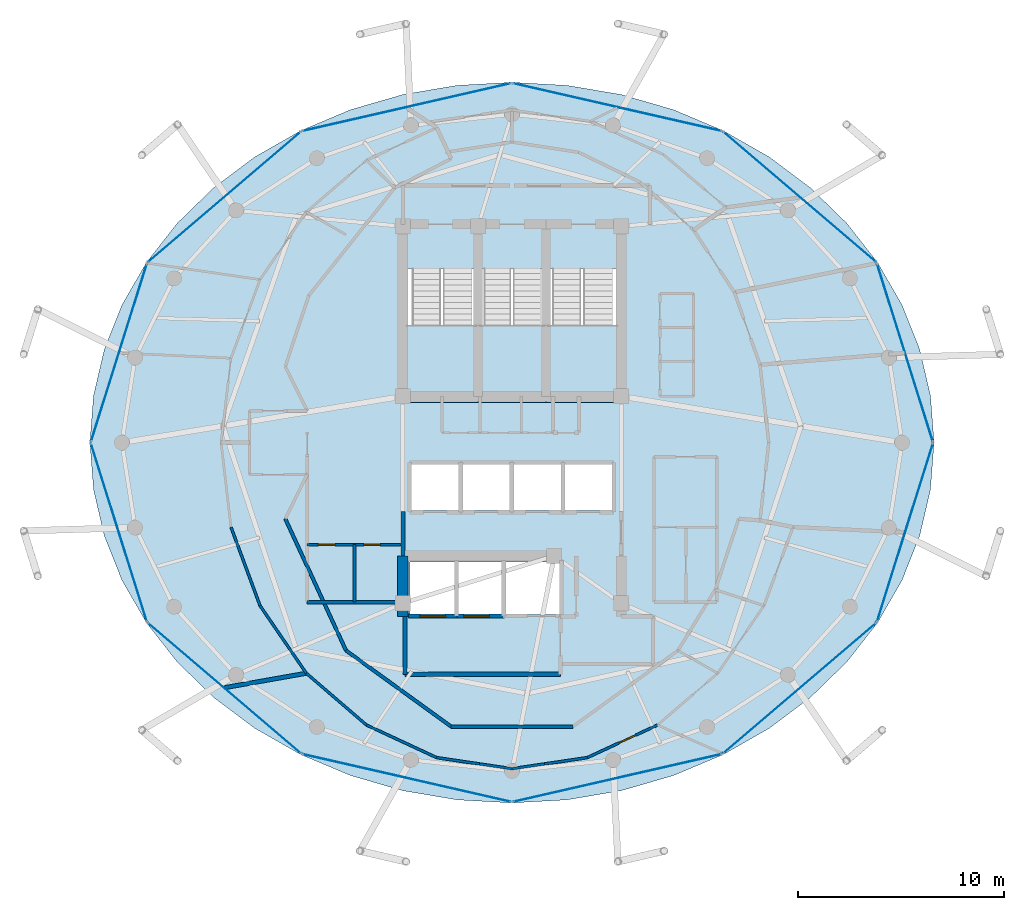
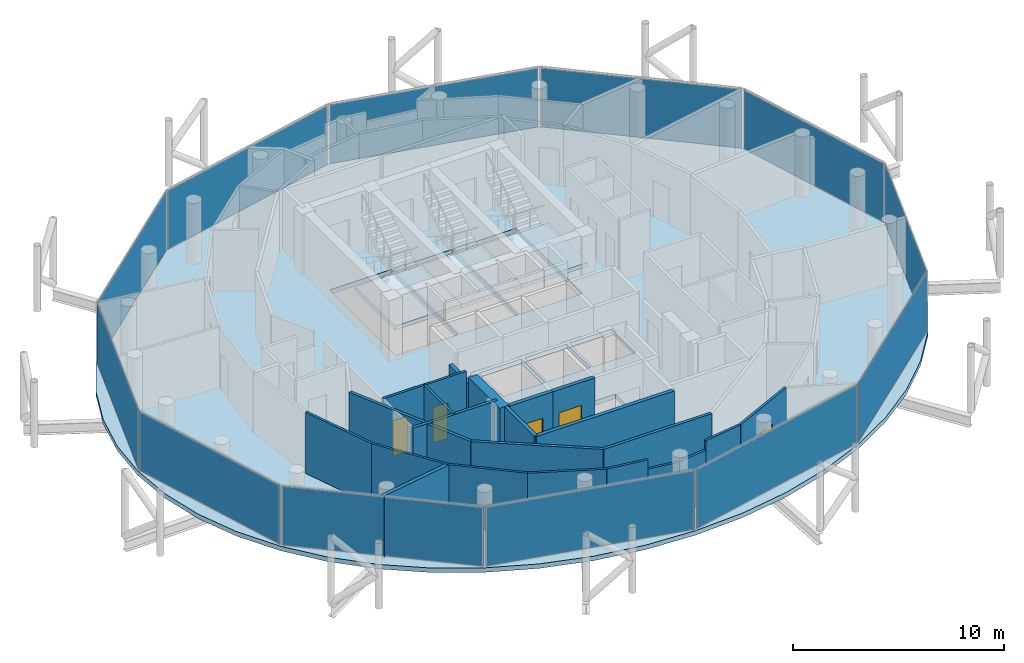
# One storey, part 19 of 24: 22 walls, 12 plates, 5 doors, 4 slabs, 5 openings, 15 elements without a shape of their own.
"""IFC4 building model written with IfcOpenShell, lengths in metres."""

from ifc_helpers import new_model, si_unit, direction, frame, frame_2d, origin, origin_2d, place, context, subcontext, project, spatial, polyline, rectangle, outline, extrude, material, layer, layer_set, type_object, element, fill, aggregate, save


model = new_model("IFC4")

# Units and contexts
model_context = context("Model", 3, precision=1e-05, world=origin(), true_north=direction((0.0, 1.0)))
body_context = subcontext(model_context, "Body", "Model", "MODEL_VIEW")
ifc_project = project(units=[si_unit("LENGTHUNIT", "METRE"), si_unit("AREAUNIT", "SQUARE_METRE"), si_unit("VOLUMEUNIT", "CUBIC_METRE"), si_unit("PLANEANGLEUNIT", "RADIAN"), si_unit("MASSUNIT", "GRAM", prefix="KILO")], contexts=[model_context])

# Site, building, storey
site_placement = place(None, origin())
site = spatial("IfcSite", under=ifc_project, at=site_placement, CompositionType="ELEMENT")
building_placement = place(site_placement, origin())
building = spatial("IfcBuilding", under=site, at=building_placement, Name="Nuhasar Tower", CompositionType="ELEMENT")
storey_placement = place(building_placement, frame((0.0, 0.0, 259.39990234375)))
storey = spatial("IfcBuildingStorey", under=building, at=storey_placement, Name="L64", CompositionType="ELEMENT", Elevation=259.39990234375)

# Curtain wall, plate
ifc_material_1 = material(Name="Aluminium 6063-T6", Category="aluminium")
ifc_layer_1 = layer(ifc_material_1, 0.18994140625)
ifc_layer_set_1 = layer_set([ifc_layer_1], Name="Aluminium 6063-T6")
curtain_wall_type = type_object("IfcCurtainWallType", Name="CW-Z4-PEN", PredefinedType="NOTDEFINED", material=ifc_layer_set_1)
curtain_wall_1_placement = place(storey_placement, origin())
curtain_wall_1 = element("IfcCurtainWall", 1, at=curtain_wall_1_placement, inside=storey, type_object=curtain_wall_type, Name="L64 Unitised Curtain Wall 01", PredefinedType="NOTDEFINED")
ifc_material_2 = material(Name="Glass Double Low-E", Category="glass")
ifc_layer_2 = layer(ifc_material_2, 0.028076171875)
ifc_layer_set_2 = layer_set([ifc_layer_2], Name="Glass Double Low-E")
plate_type = type_object("IfcPlateType", Name="CW-PANEL-GLZ", PredefinedType="CURTAIN_PANEL", material=ifc_layer_set_2)
plate_1_placement = place(storey_placement, frame((58.089599609375, 31.1650390625, 0.06005859375), z_axis=(0.0, 0.0, 1.0), x_axis=(-0.299556614146, 0.954078526601, 0.0)))
plate_1 = element("IfcPlate", 2, at=plate_1_placement, type_object=plate_type, Name="CW-Z4 panel 1.1", PredefinedType="CURTAIN_PANEL", context=body_context, shape_type="SweptSolid", body=[
    extrude(rectangle(XDim=9.0302734375, YDim=0.028076171875, at=origin_2d()), origin(), (0.0, 0.0, 1.0), 3.419921875),
])
aggregate(curtain_wall_1, [plate_1])

curtain_wall_2_placement = place(storey_placement, origin())
curtain_wall_2 = element("IfcCurtainWall", 3, at=curtain_wall_2_placement, inside=storey, type_object=curtain_wall_type, Name="L64 Unitised Curtain Wall 02", PredefinedType="NOTDEFINED")
plate_2_placement = place(storey_placement, frame((52.974609375, 38.7255859375, 0.06005859375), z_axis=(0.0, 0.0, 1.0), x_axis=(-0.760667252327, 0.649141996205, 0.0)))
plate_2 = element("IfcPlate", 4, at=plate_2_placement, type_object=plate_type, Name="CW-Z4 panel 1.1", PredefinedType="CURTAIN_PANEL", context=body_context, shape_type="SweptSolid", body=[
    extrude(rectangle(XDim=9.725341796875, YDim=0.028076171875, at=origin_2d()), origin(), (0.0, 0.0, 1.0), 3.419921875),
])
aggregate(curtain_wall_2, [plate_2])

curtain_wall_3_placement = place(storey_placement, origin())
curtain_wall_3 = element("IfcCurtainWall", 5, at=curtain_wall_3_placement, inside=storey, type_object=curtain_wall_type, Name="L64 Unitised Curtain Wall 03", PredefinedType="NOTDEFINED")
plate_3_placement = place(storey_placement, frame((44.114990234375, 43.090576171875, 0.06005859375), z_axis=(0.0, 0.0, 1.0), x_axis=(-0.97484371891, 0.222889487645, 0.0)))
plate_3 = element("IfcPlate", 6, at=plate_3_placement, type_object=plate_type, Name="CW-Z4 panel 1.1", PredefinedType="CURTAIN_PANEL", context=body_context, shape_type="SweptSolid", body=[
    extrude(rectangle(XDim=10.3740234375, YDim=0.028076171875, at=origin_2d()), origin(), (0.0, 0.0, 1.0), 3.419921875),
])
aggregate(curtain_wall_3, [plate_3])

curtain_wall_4_placement = place(storey_placement, origin())
curtain_wall_4 = element("IfcCurtainWall", 7, at=curtain_wall_4_placement, inside=storey, type_object=curtain_wall_type, Name="L64 Unitised Curtain Wall 04", PredefinedType="NOTDEFINED")
plate_4_placement = place(storey_placement, frame((33.885009765625, 43.090576171875, 0.06005859375), z_axis=(0.0, 0.0, 1.0), x_axis=(-0.97484371891, -0.222889487645, 0.0)))
plate_4 = element("IfcPlate", 8, at=plate_4_placement, type_object=plate_type, Name="CW-Z4 panel 1.1", PredefinedType="CURTAIN_PANEL", context=body_context, shape_type="SweptSolid", body=[
    extrude(rectangle(XDim=10.3740234375, YDim=0.028076171875, at=origin_2d()), origin(), (0.0, 0.0, 1.0), 3.419921875),
])
aggregate(curtain_wall_4, [plate_4])

curtain_wall_5_placement = place(storey_placement, origin())
curtain_wall_5 = element("IfcCurtainWall", 9, at=curtain_wall_5_placement, inside=storey, type_object=curtain_wall_type, Name="L64 Unitised Curtain Wall 05", PredefinedType="NOTDEFINED")
plate_5_placement = place(storey_placement, frame((25.025390625, 38.7255859375, 0.06005859375), z_axis=(0.0, 0.0, 1.0), x_axis=(-0.760667252327, -0.649141996205, 0.0)))
plate_5 = element("IfcPlate", 10, at=plate_5_placement, type_object=plate_type, Name="CW-Z4 panel 1.1", PredefinedType="CURTAIN_PANEL", context=body_context, shape_type="SweptSolid", body=[
    extrude(rectangle(XDim=9.725341796875, YDim=0.028076171875, at=origin_2d()), origin(), (0.0, 0.0, 1.0), 3.419921875),
])
aggregate(curtain_wall_5, [plate_5])

curtain_wall_6_placement = place(storey_placement, origin())
curtain_wall_6 = element("IfcCurtainWall", 11, at=curtain_wall_6_placement, inside=storey, type_object=curtain_wall_type, Name="L64 Unitised Curtain Wall 06", PredefinedType="NOTDEFINED")
plate_6_placement = place(storey_placement, frame((19.910400390625, 31.1650390625, 0.06005859375), z_axis=(0.0, 0.0, 1.0), x_axis=(-0.299556614146, -0.954078526601, 0.0)))
plate_6 = element("IfcPlate", 12, at=plate_6_placement, type_object=plate_type, Name="CW-Z4 panel 1.1", PredefinedType="CURTAIN_PANEL", context=body_context, shape_type="SweptSolid", body=[
    extrude(rectangle(XDim=9.0302734375, YDim=0.028076171875, at=origin_2d()), origin(), (0.0, 0.0, 1.0), 3.419921875),
])
aggregate(curtain_wall_6, [plate_6])

curtain_wall_7_placement = place(storey_placement, origin())
curtain_wall_7 = element("IfcCurtainWall", 13, at=curtain_wall_7_placement, inside=storey, type_object=curtain_wall_type, Name="L64 Unitised Curtain Wall 07", PredefinedType="NOTDEFINED")
plate_7_placement = place(storey_placement, frame((19.910400390625, 22.43505859375, 0.06005859375), z_axis=(0.0, 0.0, 1.0), x_axis=(0.299556614146, -0.954078526601, 0.0)))
plate_7 = element("IfcPlate", 14, at=plate_7_placement, type_object=plate_type, Name="CW-Z4 panel 1.1", PredefinedType="CURTAIN_PANEL", context=body_context, shape_type="SweptSolid", body=[
    extrude(rectangle(XDim=9.0302734375, YDim=0.028076171875, at=origin_2d()), origin(), (0.0, 0.0, 1.0), 3.419921875),
])
aggregate(curtain_wall_7, [plate_7])

curtain_wall_8_placement = place(storey_placement, origin())
curtain_wall_8 = element("IfcCurtainWall", 15, at=curtain_wall_8_placement, inside=storey, type_object=curtain_wall_type, Name="L64 Unitised Curtain Wall 08", PredefinedType="NOTDEFINED")
plate_8_placement = place(storey_placement, frame((25.025390625, 14.87451171875, 0.06005859375), z_axis=(0.0, 0.0, 1.0), x_axis=(0.760667252327, -0.649141996205, 0.0)))
plate_8 = element("IfcPlate", 16, at=plate_8_placement, type_object=plate_type, Name="CW-Z4 panel 1.1", PredefinedType="CURTAIN_PANEL", context=body_context, shape_type="SweptSolid", body=[
    extrude(rectangle(XDim=9.725341796875, YDim=0.028076171875, at=origin_2d()), origin(), (0.0, 0.0, 1.0), 3.419921875),
])
aggregate(curtain_wall_8, [plate_8])

curtain_wall_9_placement = place(storey_placement, origin())
curtain_wall_9 = element("IfcCurtainWall", 17, at=curtain_wall_9_placement, inside=storey, type_object=curtain_wall_type, Name="L64 Unitised Curtain Wall 09", PredefinedType="NOTDEFINED")
plate_9_placement = place(storey_placement, frame((33.885009765625, 10.509521484375, 0.06005859375), z_axis=(0.0, 0.0, 1.0), x_axis=(0.97484371891, -0.222889487645, 0.0)))
plate_9 = element("IfcPlate", 18, at=plate_9_placement, type_object=plate_type, Name="CW-Z4 panel 1.1", PredefinedType="CURTAIN_PANEL", context=body_context, shape_type="SweptSolid", body=[
    extrude(rectangle(XDim=10.3740234375, YDim=0.028076171875, at=origin_2d()), origin(), (0.0, 0.0, 1.0), 3.419921875),
])
aggregate(curtain_wall_9, [plate_9])

curtain_wall_10_placement = place(storey_placement, origin())
curtain_wall_10 = element("IfcCurtainWall", 19, at=curtain_wall_10_placement, inside=storey, type_object=curtain_wall_type, Name="L64 Unitised Curtain Wall 10", PredefinedType="NOTDEFINED")
plate_10_placement = place(storey_placement, frame((44.114990234375, 10.509521484375, 0.06005859375), z_axis=(0.0, 0.0, 1.0), x_axis=(0.97484371891, 0.222889487645, 0.0)))
plate_10 = element("IfcPlate", 20, at=plate_10_placement, type_object=plate_type, Name="CW-Z4 panel 1.1", PredefinedType="CURTAIN_PANEL", context=body_context, shape_type="SweptSolid", body=[
    extrude(rectangle(XDim=10.3740234375, YDim=0.028076171875, at=origin_2d()), origin(), (0.0, 0.0, 1.0), 3.419921875),
])
aggregate(curtain_wall_10, [plate_10])

curtain_wall_11_placement = place(storey_placement, origin())
curtain_wall_11 = element("IfcCurtainWall", 21, at=curtain_wall_11_placement, inside=storey, type_object=curtain_wall_type, Name="L64 Unitised Curtain Wall 11", PredefinedType="NOTDEFINED")
plate_11_placement = place(storey_placement, frame((52.974609375, 14.87451171875, 0.06005859375), z_axis=(0.0, 0.0, 1.0), x_axis=(0.760667252327, 0.649141996205, 0.0)))
plate_11 = element("IfcPlate", 22, at=plate_11_placement, type_object=plate_type, Name="CW-Z4 panel 1.1", PredefinedType="CURTAIN_PANEL", context=body_context, shape_type="SweptSolid", body=[
    extrude(rectangle(XDim=9.725341796875, YDim=0.028076171875, at=origin_2d()), origin(), (0.0, 0.0, 1.0), 3.419921875),
])
aggregate(curtain_wall_11, [plate_11])

curtain_wall_12_placement = place(storey_placement, origin())
curtain_wall_12 = element("IfcCurtainWall", 23, at=curtain_wall_12_placement, inside=storey, type_object=curtain_wall_type, Name="L64 Unitised Curtain Wall 12", PredefinedType="NOTDEFINED")
plate_12_placement = place(storey_placement, frame((58.089599609375, 22.43505859375, 0.06005859375), z_axis=(0.0, 0.0, 1.0), x_axis=(0.299556614146, 0.954078526601, 0.0)))
plate_12 = element("IfcPlate", 24, at=plate_12_placement, type_object=plate_type, Name="CW-Z4 panel 1.1", PredefinedType="CURTAIN_PANEL", context=body_context, shape_type="SweptSolid", body=[
    extrude(rectangle(XDim=9.0302734375, YDim=0.028076171875, at=origin_2d()), origin(), (0.0, 0.0, 1.0), 3.419921875),
])
aggregate(curtain_wall_12, [plate_12])

# Stair, slab
ifc_material_3 = material(Name="Concrete C45/55", Category="concrete")
stair_type_1 = type_object("IfcStairType", Name="STR-ST-01-2F-22R-1727", PredefinedType="HALF_TURN_STAIR", material=ifc_material_3)
stair_1_placement = place(storey_placement, origin())
stair_1 = element("IfcStair", 25, at=stair_1_placement, inside=storey, type_object=stair_type_1, Name="L64 Exit Stair ST-01", PredefinedType="HALF_TURN_STAIR")
ifc_layer_3 = layer(ifc_material_3, 0.239990234375)
ifc_layer_set_3 = layer_set([ifc_layer_3], Name="Concrete C45/55")
slab_type_1 = type_object("IfcSlabType", Name="SLB-STAIR-LND-240", PredefinedType="LANDING", material=ifc_layer_set_3)
slab_1_placement = place(storey_placement, frame((0.0, 0.0, 1.66015625)))
slab_1 = element("IfcSlab", 26, at=slab_1_placement, type_object=slab_type_1, Name="ST-01 landing 1", PredefinedType="LANDING", context=body_context, shape_type="SweptSolid", body=[
    extrude(outline(polyline([(33.699951171875, 28.75), (37.35009765625, 28.75), (37.35009765625, 32.52001953125), (33.699951171875, 32.52001953125), (33.699951171875, 28.75)])), origin(), (0.0, 0.0, 1.0), 0.239990234375),
])
aggregate(stair_1, [slab_1])

stair_type_2 = type_object("IfcStairType", Name="STR-ST-03-2F-22R-1727", PredefinedType="HALF_TURN_STAIR", material=ifc_material_3)
stair_2_placement = place(storey_placement, origin())
stair_2 = element("IfcStair", 27, at=stair_2_placement, inside=storey, type_object=stair_type_2, Name="L64 Exit Stair ST-03", PredefinedType="HALF_TURN_STAIR")
slab_2_placement = place(storey_placement, frame((0.0, 0.0, 1.66015625)))
slab_2 = element("IfcSlab", 28, at=slab_2_placement, type_object=slab_type_1, Name="ST-03 landing 1", PredefinedType="LANDING", context=body_context, shape_type="SweptSolid", body=[
    extrude(outline(polyline([(37.35009765625, 28.75), (40.64990234375, 28.75), (40.64990234375, 32.52001953125), (37.35009765625, 32.52001953125), (37.35009765625, 28.75)])), origin(), (0.0, 0.0, 1.0), 0.239990234375),
])
aggregate(stair_2, [slab_2])

stair_type_3 = type_object("IfcStairType", Name="STR-ST-02-2F-22R-1727", PredefinedType="HALF_TURN_STAIR", material=ifc_material_3)
stair_3_placement = place(storey_placement, origin())
stair_3 = element("IfcStair", 29, at=stair_3_placement, inside=storey, type_object=stair_type_3, Name="L64 Exit Stair ST-02", PredefinedType="HALF_TURN_STAIR")
slab_3_placement = place(storey_placement, frame((0.0, 0.0, 1.66015625)))
slab_3 = element("IfcSlab", 30, at=slab_3_placement, type_object=slab_type_1, Name="ST-02 landing 1", PredefinedType="LANDING", context=body_context, shape_type="SweptSolid", body=[
    extrude(outline(polyline([(40.64990234375, 28.75), (44.300048828125, 28.75), (44.300048828125, 32.52001953125), (40.64990234375, 32.52001953125), (40.64990234375, 28.75)])), origin(), (0.0, 0.0, 1.0), 0.239990234375),
])
aggregate(stair_3, [slab_3])

# Slab
ifc_material_4 = material(Name="Concrete C50/60", Category="concrete")
ifc_layer_4 = layer(ifc_material_4, 0.260009765625)
ifc_layer_set_4 = layer_set([ifc_layer_4], Name="Concrete C50/60")
slab_type_2 = type_object("IfcSlabType", Name="SLB-Z1A-260", PredefinedType="FLOOR", material=ifc_layer_set_4)
slab_4_placement = place(storey_placement, frame((0.0, 0.0, -0.260009765625)))
element("IfcSlab", 31, at=slab_4_placement, inside=storey, type_object=slab_type_2, Name="L64 Structural Slab", PredefinedType="FLOOR", context=body_context, shape_type="SweptSolid", body=[
    extrude(outline(polyline([(59.5, 26.800048828125), (59.324951171875, 29.083984375), (58.801025390625, 31.3291015625), (57.93994140625, 33.4970703125), (56.75390625, 35.550048828125), (55.263916015625, 37.452880859375), (53.49609375, 39.174072265625), (51.47998046875, 40.68408203125), (49.25, 41.955078125), (46.844970703125, 42.968017578125), (44.305908203125, 43.7041015625), (41.676025390625, 44.14990234375), (39.0, 44.300048828125), (36.323974609375, 44.14990234375), (33.694091796875, 43.7041015625), (31.155029296875, 42.968017578125), (28.75, 41.955078125), (26.52001953125, 40.68408203125), (24.50390625, 39.174072265625), (22.736083984375, 37.452880859375), (21.24609375, 35.550048828125), (20.06005859375, 33.4970703125), (19.198974609375, 31.3291015625), (18.675048828125, 29.083984375), (18.5, 26.800048828125), (18.675048828125, 24.51611328125), (19.198974609375, 22.27099609375), (20.06005859375, 20.10302734375), (21.24609375, 18.050048828125), (22.736083984375, 16.14697265625), (24.50390625, 14.426025390625), (26.52001953125, 12.916015625), (28.75, 11.64501953125), (31.155029296875, 10.632080078125), (33.694091796875, 9.89599609375), (36.323974609375, 9.449951171875), (39.0, 9.300048828125), (41.676025390625, 9.449951171875), (44.305908203125, 9.89599609375), (46.844970703125, 10.632080078125), (49.25, 11.64501953125), (51.47998046875, 12.916015625), (53.49609375, 14.426025390625), (55.263916015625, 16.14697265625), (56.75390625, 18.050048828125), (57.93994140625, 20.10302734375), (58.801025390625, 22.27099609375), (59.324951171875, 24.51611328125), (59.5, 26.800048828125)]), holes=[polyline([(33.8798828125, 35.25), (37.300048828125, 35.25), (37.300048828125, 29.0), (33.8798828125, 29.0), (33.8798828125, 35.25)]), polyline([(37.39990234375, 35.25), (40.60009765625, 35.25), (40.60009765625, 29.0), (37.39990234375, 29.0), (37.39990234375, 35.25)]), polyline([(40.699951171875, 35.25), (44.1201171875, 35.25), (44.1201171875, 29.0), (40.699951171875, 29.0), (40.699951171875, 35.25)]), polyline([(34.10009765625, 25.75), (36.43994140625, 25.75), (36.43994140625, 23.5), (34.10009765625, 23.5), (34.10009765625, 25.75)]), polyline([(36.580078125, 25.75), (38.919921875, 25.75), (38.919921875, 23.5), (36.580078125, 23.5), (36.580078125, 25.75)]), polyline([(39.06005859375, 25.75), (41.39990234375, 25.75), (41.39990234375, 23.5), (39.06005859375, 23.5), (39.06005859375, 25.75)]), polyline([(41.5400390625, 25.75), (43.8798828125, 25.75), (43.8798828125, 23.5), (41.5400390625, 23.5), (41.5400390625, 25.75)]), polyline([(34.050048828125, 21.0), (36.25, 21.0), (36.25, 18.449951171875), (34.050048828125, 18.449951171875), (34.050048828125, 21.0)]), polyline([(36.35009765625, 21.0), (38.550048828125, 21.0), (38.550048828125, 18.449951171875), (36.35009765625, 18.449951171875), (36.35009765625, 21.0)]), polyline([(38.64990234375, 21.0), (41.320068359375, 21.0), (41.320068359375, 18.449951171875), (38.64990234375, 18.449951171875), (38.64990234375, 21.0)])]), origin(), (0.0, 0.0, 1.0), 0.260009765625),
])

# Walls
ifc_layer_5 = layer(ifc_material_4, 0.5)
ifc_layer_set_5 = layer_set([ifc_layer_5], Name="Concrete C50/60")
wall_type_1 = type_object("IfcWallType", Name="WL-CORE-500", PredefinedType="SHEAR", material=ifc_layer_set_5)
wall_1_placement = place(storey_placement, frame((33.699951171875, 18.35009765625, 0.0), z_axis=(0.0, 0.0, 1.0), x_axis=(0.0, 1.0, 0.0)))
element("IfcWall", 32, at=wall_1_placement, inside=storey, type_object=wall_type_1, Name="L64 Core Shear Wall CW-SW CW-500", PredefinedType="SHEAR", context=body_context, shape_type="SweptSolid", body=[
    extrude(rectangle(XDim=2.949951171875, YDim=0.5, at=frame_2d((1.47509765625, 0.0))), origin(), (0.0, 0.0, 1.0), 3.5400390625),
])
ifc_material_5 = material(Name="Gypsum Board", Category="gypsum")
ifc_layer_6 = layer(ifc_material_5, 0.159912109375)
ifc_layer_set_6 = layer_set([ifc_layer_6], Name="Gypsum Board")
wall_type_2 = type_object("IfcWallType", Name="WL-CORR-160", PredefinedType="PARTITIONING", material=ifc_layer_set_6)
wall_2_placement = place(storey_placement, frame((29.050048828125, 19.050048828125, 0.0), z_axis=(0.0, 0.0, 1.0), x_axis=(1.0, 0.0, 0.0)))
element("IfcWall", 33, at=wall_2_placement, inside=storey, type_object=wall_type_2, Name="L64 Interior Partition RECL-B1-S", PredefinedType="PARTITIONING", context=body_context, shape_type="SweptSolid", body=[
    extrude(rectangle(XDim=4.64990234375, YDim=0.159912109375, at=frame_2d((2.324951171875, 0.0))), origin(), (0.0, 0.0, 1.0), 3.5400390625),
])
wall_3_placement = place(storey_placement, frame((27.988037109375, 23.10400390625, 0.0), z_axis=(0.0, 0.0, 1.0), x_axis=(0.418656179426, -0.908144814128, 0.0)))
element("IfcWall", 34, at=wall_3_placement, inside=storey, type_object=wall_type_2, Name="L64 Interior Partition UWEST-CORE-S1-26", PredefinedType="PARTITIONING", context=body_context, shape_type="SweptSolid", body=[
    extrude(rectangle(XDim=7.048583984375, YDim=0.159912109375, at=frame_2d((3.5244140625, 0.0))), origin(), (0.0, 0.0, 1.0), 3.5400390625),
])
wall_4_placement = place(storey_placement, frame((30.93896484375, 16.702880859375, 0.0), z_axis=(0.0, 0.0, 1.0), x_axis=(0.810290119061, -0.586028943784, 0.0)))
element("IfcWall", 35, at=wall_4_placement, inside=storey, type_object=wall_type_2, Name="L64 Interior Partition UWEST-CORE-S1-30", PredefinedType="PARTITIONING", context=body_context, shape_type="SweptSolid", body=[
    extrude(rectangle(XDim=6.306396484375, YDim=0.159912109375, at=frame_2d((3.1533203125, 0.0))), origin(), (0.0, 0.0, 1.0), 3.5400390625),
])
wall_5_placement = place(storey_placement, frame((36.049072265625, 13.007080078125, 0.0), z_axis=(0.0, 0.0, 1.0), x_axis=(1.0, 0.0, 0.0)))
element("IfcWall", 36, at=wall_5_placement, inside=storey, type_object=wall_type_2, Name="L64 Interior Partition UWEST-CORE-S1-34", PredefinedType="PARTITIONING", context=body_context, shape_type="SweptSolid", body=[
    extrude(rectangle(XDim=5.90185546875, YDim=0.159912109375, at=frame_2d((2.950927734375, 0.0))), origin(), (0.0, 0.0, 1.0), 3.5400390625),
])
ifc_layer_7 = layer(ifc_material_3, 0.199951171875)
ifc_layer_set_7 = layer_set([ifc_layer_7], Name="Concrete C45/55")
wall_type_3 = type_object("IfcWallType", Name="WL-LOBBY-200", PredefinedType="SOLIDWALL", material=ifc_layer_set_7)
wall_6_placement = place(storey_placement, frame((33.699951171875, 21.300048828125, 0.0), z_axis=(0.0, 0.0, 1.0), x_axis=(0.0, 1.0, 0.0)))
element("IfcWall", 37, at=wall_6_placement, inside=storey, type_object=wall_type_3, Name="L64 Interior Partition LLBH-W", PredefinedType="SOLIDWALL", context=body_context, shape_type="SweptSolid", body=[
    extrude(rectangle(XDim=2.14990234375, YDim=0.199951171875, at=frame_2d((1.074951171875, 0.0))), origin(), (0.0, 0.0, 1.0), 2.925048828125),
])
wall_7_placement = place(storey_placement, frame((33.800048828125, 15.550048828125, 0.0), z_axis=(0.0, 0.0, 1.0), x_axis=(1.0, 0.0, 0.0)))
element("IfcWall", 38, at=wall_7_placement, inside=storey, type_object=wall_type_3, Name="L64 Interior Partition FFL-S", PredefinedType="SOLIDWALL", context=body_context, shape_type="SweptSolid", body=[
    extrude(rectangle(XDim=7.550048828125, YDim=0.199951171875, at=frame_2d((3.77490234375, 0.0))), origin(), (0.0, 0.0, 1.0), 3.5400390625),
])
wall_8_placement = place(storey_placement, frame((33.800048828125, 15.550048828125, 0.0), z_axis=(0.0, 0.0, 1.0), x_axis=(0.0, 1.0, 0.0)))
element("IfcWall", 39, at=wall_8_placement, inside=storey, type_object=wall_type_3, Name="L64 Interior Partition FFL-W", PredefinedType="SOLIDWALL", context=body_context, shape_type="SweptSolid", body=[
    extrude(rectangle(XDim=2.800048828125, YDim=0.199951171875, at=frame_2d((1.39990234375, 0.0))), origin(), (0.0, 0.0, 1.0), 3.5400390625),
])

# Wall, openings, doors
ifc_layer_8 = layer(ifc_material_5, 0.125)
ifc_layer_set_8 = layer_set([ifc_layer_8], Name="Gypsum Board")
wall_type_4 = type_object("IfcWallType", Name="WL-PART-125", PredefinedType="PARTITIONING", material=ifc_layer_set_8)
wall_9_placement = place(storey_placement, frame((33.60009765625, 21.85009765625, 0.0), z_axis=(0.0, 0.0, 1.0), x_axis=(-1.0, 0.0, 0.0)))
wall_9 = element("IfcWall", 40, at=wall_9_placement, inside=storey, type_object=wall_type_4, Name="L64 Interior Partition HKPK1-N", PredefinedType="PARTITIONING", context=body_context, shape_type="SweptSolid", body=[
    extrude(rectangle(XDim=4.550048828125, YDim=0.125, at=frame_2d((2.27490234375, 0.0))), origin(), (0.0, 0.0, 1.0), 3.5400390625),
])
opening_1_placement = place(wall_9_placement, frame((3.199951171875, 0.0, 0.0)))
opening_1 = element("IfcOpeningElement", 41, at=opening_1_placement, cuts=wall_9, Name="Opening DM-01", PredefinedType="OPENING", context=body_context, shape_type="SweptSolid", body=[
    extrude(rectangle(XDim=0.800048828125, YDim=2.050048828125, at=frame_2d((0.39990234375, 1.02490234375))), frame((0.0, 0.072509765625, 0.0), z_axis=(0.0, -1.0, 0.0), x_axis=(1.0, 0.0, 0.0)), (0.0, 0.0, 1.0), 0.14501953125),
])
opening_2_placement = place(wall_9_placement, frame((1.0, 0.0, 0.0)))
opening_2 = element("IfcOpeningElement", 42, at=opening_2_placement, cuts=wall_9, Name="Opening DM-01", PredefinedType="OPENING", context=body_context, shape_type="SweptSolid", body=[
    extrude(rectangle(XDim=0.800048828125, YDim=2.050048828125, at=frame_2d((0.39990234375, 1.02490234375))), frame((0.0, 0.072509765625, 0.0), z_axis=(0.0, -1.0, 0.0), x_axis=(1.0, 0.0, 0.0)), (0.0, 0.0, 1.0), 0.14501953125),
])
ifc_material_6 = material(Name="Steel S355", Category="steel")
door_type_1 = type_object("IfcDoorType", Name="DR-RISER-FD60-800", OperationType="NOTDEFINED", PredefinedType="DOOR", material=ifc_material_6)
door_1_placement = place(opening_1_placement, origin())
door_1 = element("IfcDoor", 43, at=door_1_placement, inside=storey, type_object=door_type_1, Name="L64 Housekeeping Closet Door", OperationType="SINGLE_SWING_RIGHT", OverallHeight=2.050048828125, OverallWidth=0.800048828125, PredefinedType="DOOR", context=body_context, shape_type="SweptSolid", body=[
    extrude(rectangle(XDim=0.800048828125, YDim=2.050048828125, at=frame_2d((0.39990234375, 1.02490234375))), frame((0.0, 0.02490234375, 0.0), z_axis=(0.0, -1.0, 0.0), x_axis=(1.0, 0.0, 0.0)), (0.0, 0.0, 1.0), 0.050048828125),
])
fill(opening_1, door_1)
door_2_placement = place(opening_2_placement, origin())
door_2 = element("IfcDoor", 44, at=door_2_placement, inside=storey, type_object=door_type_1, Name="L64 Linen Store Door", OperationType="SINGLE_SWING_LEFT", OverallHeight=2.050048828125, OverallWidth=0.800048828125, PredefinedType="DOOR", context=body_context, shape_type="SweptSolid", body=[
    extrude(rectangle(XDim=0.800048828125, YDim=2.050048828125, at=frame_2d((0.39990234375, 1.02490234375))), frame((0.0, 0.02490234375, 0.0), z_axis=(0.0, -1.0, 0.0), x_axis=(1.0, 0.0, 0.0)), (0.0, 0.0, 1.0), 0.050048828125),
])
fill(opening_2, door_2)

# Walls
wall_10_placement = place(storey_placement, frame((31.35009765625, 19.050048828125, 0.0), z_axis=(0.0, 0.0, 1.0), x_axis=(0.0, 1.0, 0.0)))
element("IfcWall", 45, at=wall_10_placement, inside=storey, type_object=wall_type_4, Name="L64 Interior Partition HKPK1-V", PredefinedType="PARTITIONING", context=body_context, shape_type="SweptSolid", body=[
    extrude(rectangle(XDim=2.800048828125, YDim=0.125, at=frame_2d((1.39990234375, 0.0))), origin(), (0.0, 0.0, 1.0), 3.5400390625),
])
wall_11_placement = place(storey_placement, frame((25.35107421875, 22.699951171875, 0.0), z_axis=(0.0, 0.0, 1.0), x_axis=(0.346671925992, -0.937986447519, 0.0)))
element("IfcWall", 46, at=wall_11_placement, inside=storey, type_object=wall_type_4, Name="L64 Interior Partition USM-1-D-26", PredefinedType="PARTITIONING", context=body_context, shape_type="SweptSolid", body=[
    extrude(rectangle(XDim=4.072509765625, YDim=0.125, at=frame_2d((2.0361328125, 0.0))), origin(), (0.0, 0.0, 1.0), 3.5400390625),
])
wall_12_placement = place(storey_placement, frame((26.762939453125, 18.8798828125, 0.0), z_axis=(0.0, 0.0, 1.0), x_axis=(0.5649172284, -0.825147577744, 0.0)))
element("IfcWall", 47, at=wall_12_placement, inside=storey, type_object=wall_type_4, Name="L64 Interior Partition USM-1-D-28", PredefinedType="PARTITIONING", context=body_context, shape_type="SweptSolid", body=[
    extrude(rectangle(XDim=3.97607421875, YDim=0.125, at=frame_2d((1.988037109375, 0.0))), origin(), (0.0, 0.0, 1.0), 3.5400390625),
])
wall_13_placement = place(storey_placement, frame((29.009033203125, 15.59912109375, 0.0), z_axis=(0.0, 0.0, 1.0), x_axis=(0.758094504626, -0.652144709444, 0.0)))
element("IfcWall", 48, at=wall_13_placement, inside=storey, type_object=wall_type_4, Name="L64 Interior Partition USM-2-D-30", PredefinedType="PARTITIONING", context=body_context, shape_type="SweptSolid", body=[
    extrude(rectangle(XDim=3.859619140625, YDim=0.125, at=frame_2d((1.9296875, 0.0))), origin(), (0.0, 0.0, 1.0), 3.5400390625),
])
wall_14_placement = place(storey_placement, frame((31.93505859375, 13.08203125, 0.0), z_axis=(0.0, 0.0, 1.0), x_axis=(0.907032898502, -0.421059759459, 0.0)))
element("IfcWall", 49, at=wall_14_placement, inside=storey, type_object=wall_type_4, Name="L64 Interior Partition USM-2-D-32", PredefinedType="PARTITIONING", context=body_context, shape_type="SweptSolid", body=[
    extrude(rectangle(XDim=3.75732421875, YDim=0.125, at=frame_2d((1.878662109375, 0.0))), origin(), (0.0, 0.0, 1.0), 3.5400390625),
])
wall_15_placement = place(storey_placement, frame((35.343017578125, 11.5, 0.0), z_axis=(0.0, 0.0, 1.0), x_axis=(0.989306339285, -0.145852552432, 0.0)))
element("IfcWall", 50, at=wall_15_placement, inside=storey, type_object=wall_type_4, Name="L64 Interior Partition USM-2-D-34", PredefinedType="PARTITIONING", context=body_context, shape_type="SweptSolid", body=[
    extrude(rectangle(XDim=2.097412109375, YDim=0.125, at=frame_2d((1.048828125, 0.0))), origin(), (0.0, 0.0, 1.0), 3.5400390625),
])
for number, where, z_axis, x_axis, name in (
    (51, (37.41796875, 11.194091796875, 0.0), (0.0, 0.0, 1.0), (0.989225581401, -0.146399279717, 0.0), "L64 Interior Partition USM-2-D-34"),
    (52, (39.0, 10.9599609375, 0.0), (0.0, 0.0, 1.0), (0.989225581401, 0.146399279717, 0.0), "L64 Interior Partition USM-2-D-36"),
):
    element("IfcWall", number, at=place(storey_placement, frame(where, z_axis=z_axis, x_axis=x_axis)), inside=storey, type_object=wall_type_4, Name=name, PredefinedType="PARTITIONING", context=body_context, shape_type="SweptSolid", body=[
        extrude(rectangle(XDim=1.599365234375, YDim=0.125, at=frame_2d((0.7998046875, 0.0))), origin(), (0.0, 0.0, 1.0), 3.0),
    ])
wall_16_placement = place(storey_placement, frame((40.58203125, 11.194091796875, 0.0), z_axis=(0.0, 0.0, 1.0), x_axis=(0.989306339285, 0.145852552432, 0.0)))
element("IfcWall", 53, at=wall_16_placement, inside=storey, type_object=wall_type_4, Name="L64 Interior Partition USM-2-D-36", PredefinedType="PARTITIONING", context=body_context, shape_type="SweptSolid", body=[
    extrude(rectangle(XDim=2.097412109375, YDim=0.125, at=frame_2d((1.048828125, 0.0))), origin(), (0.0, 0.0, 1.0), 3.5400390625),
])

# Wall, opening, door
wall_17_placement = place(storey_placement, frame((46.06494140625, 13.08203125, 0.0), z_axis=(0.0, 0.0, 1.0), x_axis=(-0.907032898502, -0.421059759459, 0.0)))
wall_17 = element("IfcWall", 54, at=wall_17_placement, inside=storey, type_object=wall_type_4, Name="L64 Interior Partition USM-2-D-38", PredefinedType="PARTITIONING", context=body_context, shape_type="SweptSolid", body=[
    extrude(rectangle(XDim=3.75732421875, YDim=0.125, at=frame_2d((1.878662109375, 0.0))), origin(), (0.0, 0.0, 1.0), 3.5400390625),
])
opening_3_placement = place(wall_17_placement, frame((1.153076171875, 0.0, 0.0)))
opening_3 = element("IfcOpeningElement", 55, at=opening_3_placement, cuts=wall_17, Name="Opening DR-01", PredefinedType="OPENING", context=body_context, shape_type="SweptSolid", body=[
    extrude(rectangle(XDim=0.89990234375, YDim=2.10009765625, at=frame_2d((0.449951171875, 1.050048828125))), frame((0.0, 0.072509765625, 0.0), z_axis=(0.0, -1.0, 0.0), x_axis=(1.0, 0.0, 0.0)), (0.0, 0.0, 1.0), 0.14501953125),
])
ifc_material_7 = material(Name="Timber Oak", Category="wood")
door_type_2 = type_object("IfcDoorType", Name="DR-ROOM-900", OperationType="NOTDEFINED", PredefinedType="DOOR", material=ifc_material_7)
door_3_placement = place(opening_3_placement, origin())
door_3 = element("IfcDoor", 56, at=door_3_placement, inside=storey, type_object=door_type_2, Name="L64 South-West Sky Home Living Door", OperationType="SINGLE_SWING_LEFT", OverallHeight=2.10009765625, OverallWidth=0.89990234375, PredefinedType="DOOR", context=body_context, shape_type="SweptSolid", body=[
    extrude(rectangle(XDim=0.89990234375, YDim=2.10009765625, at=frame_2d((0.449951171875, 1.050048828125))), frame((0.0, 0.02490234375, 0.0), z_axis=(0.0, -1.0, 0.0), x_axis=(1.0, 0.0, 0.0)), (0.0, 0.0, 1.0), 0.050048828125),
])
fill(opening_3, door_3)

ifc_layer_9 = layer(ifc_material_3, 0.199951171875)
ifc_layer_set_9 = layer_set([ifc_layer_9], Name="Concrete C45/55")
wall_type_5 = type_object("IfcWallType", Name="WL-SHAFT-200", PredefinedType="SOLIDWALL", material=ifc_layer_set_9)
wall_18_placement = place(storey_placement, frame((33.969970703125, 18.3701171875, 0.0), z_axis=(0.0, 0.0, 1.0), x_axis=(1.0, 0.0, 0.0)))
wall_18 = element("IfcWall", 57, at=wall_18_placement, inside=storey, type_object=wall_type_5, Name="L64 Interior Partition SHF-FFL-01-S", PredefinedType="SOLIDWALL", context=body_context, shape_type="SweptSolid", body=[
    extrude(rectangle(XDim=2.360107421875, YDim=0.199951171875, at=frame_2d((1.18017578125, 0.0))), origin(), (0.0, 0.0, 1.0), 3.5400390625),
])
opening_4_placement = place(wall_18_placement, frame((0.554931640625, 0.0, 0.0)))
opening_4 = element("IfcOpeningElement", 58, at=opening_4_placement, cuts=wall_18, Name="Opening LD-F01", PredefinedType="OPENING", context=body_context, shape_type="SweptSolid", body=[
    extrude(rectangle(XDim=1.25, YDim=2.199951171875, at=frame_2d((0.625, 1.10009765625))), frame((0.0, 0.10986328125, 0.0), z_axis=(0.0, -1.0, 0.0), x_axis=(1.0, 0.0, 0.0)), (0.0, 0.0, 1.0), 0.219970703125),
])
ifc_material_8 = material(Name="Stainless Steel 316L", Category="steel")
door_type_3 = type_object("IfcDoorType", Name="LD-FFL-1250", OperationType="DOUBLE_DOOR_SLIDING", PredefinedType="DOOR", material=ifc_material_8)
door_4_placement = place(opening_4_placement, origin())
door_4 = element("IfcDoor", 59, at=door_4_placement, inside=storey, type_object=door_type_3, Name="L64 Lift Landing Door FFL-01", OperationType="DOUBLE_DOOR_SLIDING", OverallHeight=2.199951171875, OverallWidth=1.25, PredefinedType="DOOR", context=body_context, shape_type="SweptSolid", body=[
    extrude(rectangle(XDim=1.25, YDim=2.199951171875, at=frame_2d((0.625, 1.10009765625))), frame((0.0, 0.02490234375, 0.0), z_axis=(0.0, -1.0, 0.0), x_axis=(1.0, 0.0, 0.0)), (0.0, 0.0, 1.0), 0.050048828125),
])
fill(opening_4, door_4)

wall_19_placement = place(storey_placement, frame((36.27001953125, 18.3701171875, 0.0), z_axis=(0.0, 0.0, 1.0), x_axis=(1.0, 0.0, 0.0)))
wall_19 = element("IfcWall", 60, at=wall_19_placement, inside=storey, type_object=wall_type_5, Name="L64 Interior Partition SHF-FFL-02-S", PredefinedType="SOLIDWALL", context=body_context, shape_type="SweptSolid", body=[
    extrude(rectangle(XDim=2.35986328125, YDim=0.199951171875, at=frame_2d((1.179931640625, 0.0))), origin(), (0.0, 0.0, 1.0), 3.5400390625),
])
opening_5_placement = place(wall_19_placement, frame((0.3798828125, 0.0, 0.0)))
opening_5 = element("IfcOpeningElement", 61, at=opening_5_placement, cuts=wall_19, Name="Opening LD-F02", PredefinedType="OPENING", context=body_context, shape_type="SweptSolid", body=[
    extrude(rectangle(XDim=1.25, YDim=2.199951171875, at=frame_2d((0.625, 1.10009765625))), frame((0.0, 0.10986328125, 0.0), z_axis=(0.0, -1.0, 0.0), x_axis=(1.0, 0.0, 0.0)), (0.0, 0.0, 1.0), 0.219970703125),
])
door_5_placement = place(opening_5_placement, origin())
door_5 = element("IfcDoor", 62, at=door_5_placement, inside=storey, type_object=door_type_3, Name="L64 Lift Landing Door FFL-02", OperationType="DOUBLE_DOOR_SLIDING", OverallHeight=2.199951171875, OverallWidth=1.25, PredefinedType="DOOR", context=body_context, shape_type="SweptSolid", body=[
    extrude(rectangle(XDim=1.25, YDim=2.199951171875, at=frame_2d((0.625, 1.10009765625))), frame((0.0, 0.02490234375, 0.0), z_axis=(0.0, -1.0, 0.0), x_axis=(1.0, 0.0, 0.0)), (0.0, 0.0, 1.0), 0.050048828125),
])
fill(opening_5, door_5)

# Wall
ifc_material_9 = material(Name="Concrete C40/50 precast", Category="concrete")
ifc_layer_10 = layer(ifc_material_9, 0.199951171875)
ifc_layer_set_10 = layer_set([ifc_layer_10], Name="Concrete C40/50 precast")
wall_type_6 = type_object("IfcWallType", Name="WL-UNIT-200", PredefinedType="PARTITIONING", material=ifc_layer_set_10)
wall_20_placement = place(storey_placement, frame((29.009033203125, 15.59912109375, 0.0), z_axis=(0.0, 0.0, 1.0), x_axis=(-0.984724829426, -0.174117805844, 0.0)))
element("IfcWall", 63, at=wall_20_placement, inside=storey, type_object=wall_type_6, Name="L64 Interior Partition UWEST-PARTY-OUT", PredefinedType="PARTITIONING", context=body_context, shape_type="SweptSolid", body=[
    extrude(rectangle(XDim=4.021484375, YDim=0.199951171875, at=frame_2d((2.0107421875, 0.0))), origin(), (0.0, 0.0, 1.0), 3.5400390625),
])

save(model, "model.ifc")
